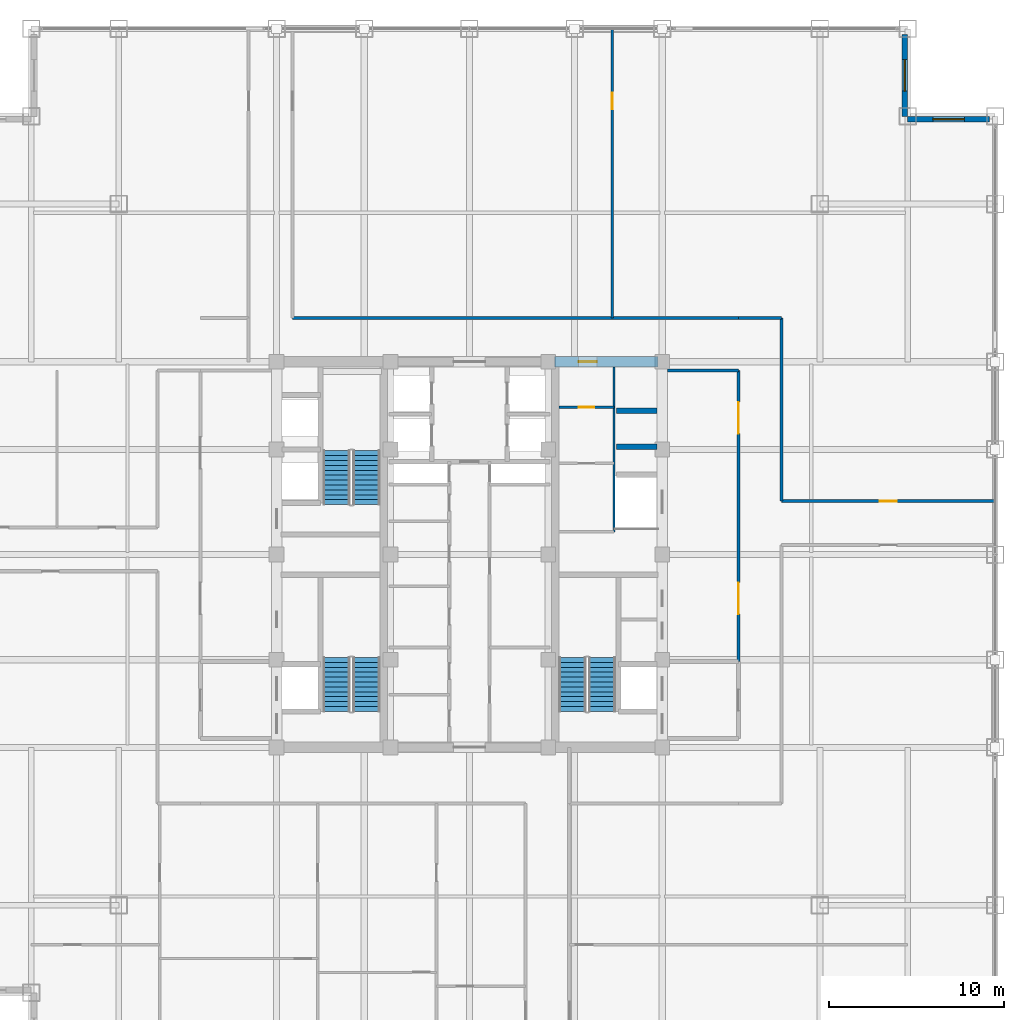
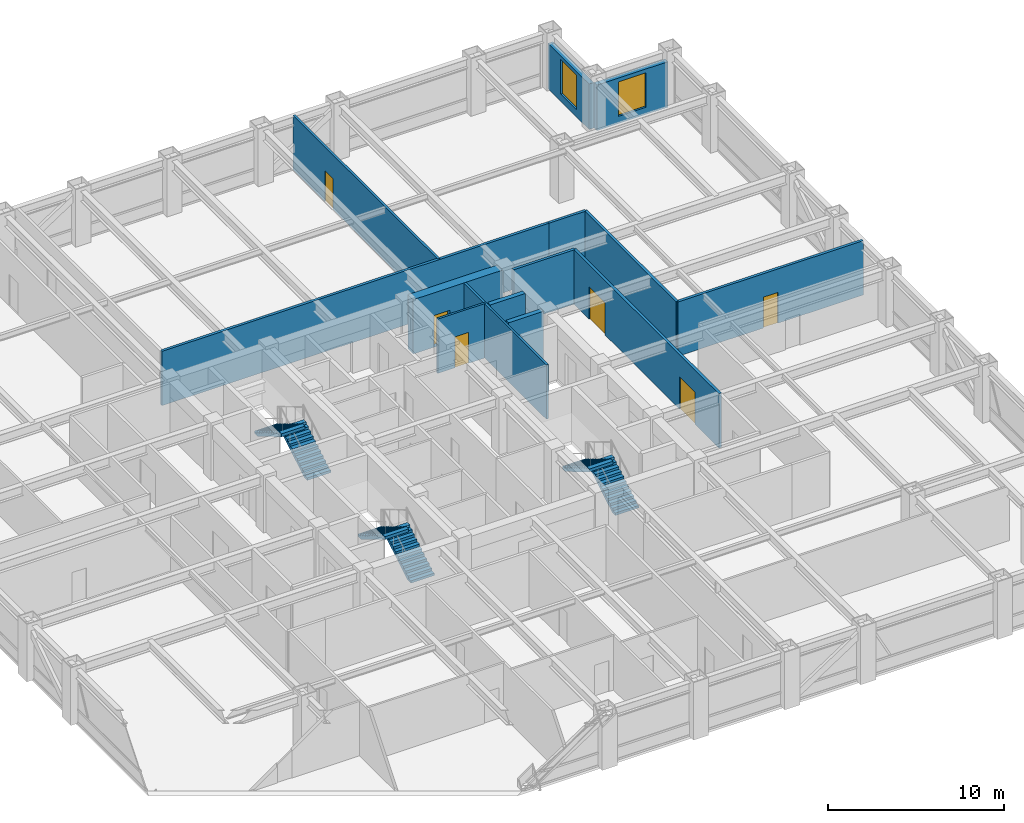
# One storey, part 23 of 24: 14 walls, 6 doors, 6 stair flights, 2 windows, 8 openings, 3 elements without a shape of their own.
"""IFC4 building model written with IfcOpenShell, lengths in metres."""

from ifc_helpers import new_model, si_unit, direction, frame, frame_2d, origin, place, context, subcontext, project, spatial, polyline, rectangle, outline, extrude, source, transform, mapped, material, layer, layer_set, type_object, element, fill, aggregate, save


model = new_model("IFC4")

# Units and contexts
model_context = context("Model", 3, precision=1e-05, world=origin(), true_north=direction((0.0, 1.0)))
body_context = subcontext(model_context, "Body", "Model", "MODEL_VIEW")
ifc_project = project(units=[si_unit("LENGTHUNIT", "METRE"), si_unit("AREAUNIT", "SQUARE_METRE"), si_unit("VOLUMEUNIT", "CUBIC_METRE"), si_unit("PLANEANGLEUNIT", "RADIAN"), si_unit("MASSUNIT", "GRAM", prefix="KILO")], contexts=[model_context])

# Site, building, storey
site_placement = place(None, origin())
site = spatial("IfcSite", under=ifc_project, at=site_placement, CompositionType="ELEMENT")
building_placement = place(site_placement, origin())
building = spatial("IfcBuilding", under=site, at=building_placement, Name="Khorayat Bourse Tower", CompositionType="ELEMENT")
storey_placement = place(building_placement, frame((0.0, 0.0, 215.10009765625)))
storey = spatial("IfcBuildingStorey", under=building, at=storey_placement, Name="L50", CompositionType="ELEMENT", Elevation=215.10009765625)

# Wall, opening, door
ifc_material_1 = material(Name="Concrete C60/75", Category="concrete")
ifc_layer_1 = layer(ifc_material_1, 0.60009765625)
ifc_layer_set_1 = layer_set([ifc_layer_1], Name="Concrete C60/75")
wall_type_1 = type_object("IfcWallType", Name="WAL-CORE-600", PredefinedType="SHEAR", material=ifc_layer_set_1)
shared_shape_1 = source(origin(), body_context, "Body", "SweptSolid", [
    extrude(rectangle(XDim=5.89990234375, YDim=0.60009765625, at=frame_2d((2.949951171875, 0.0))), origin(), (0.0, 0.0, 1.0), 3.77978515625),
])
wall_1_placement = place(storey_placement, frame((4.85009765625, 11.0, 0.0), z_axis=(0.0, 0.0, 1.0), x_axis=(1.0, 0.0, 0.0)))
wall_1 = element("IfcWall", 1, at=wall_1_placement, inside=storey, type_object=wall_type_1, Name="L50 Core Shear Wall PIER-EN", PredefinedType="SHEAR", context=body_context, shape_type="MappedRepresentation", body=[
    mapped(shared_shape_1, transform((0.0, 0.0, 0.0), scale=1.0)),
])
shared_shape_2 = source(origin(), body_context, "Body", "SweptSolid", [
    extrude(rectangle(XDim=1.050048828125, YDim=2.199951171875, at=frame_2d((0.52490234375, 1.10009765625))), frame((0.0, 0.31005859375, 0.0), z_axis=(0.0, -1.0, 0.0), x_axis=(1.0, 0.0, 0.0)), (0.0, 0.0, 1.0), 0.6201171875),
])
opening_1_placement = place(wall_1_placement, frame((1.375, 0.0, 0.0)))
opening_1 = element("IfcOpeningElement", 2, at=opening_1_placement, cuts=wall_1, Name="Opening DI-04", PredefinedType="OPENING", context=body_context, shape_type="MappedRepresentation", body=[
    mapped(shared_shape_2, transform((0.0, 0.0, 0.0), scale=1.0)),
])
ifc_material_2 = material(Name="Fire-rated oak veneer suite entrance door")
door_type_1 = type_object("IfcDoorType", Name="DR-INT-SUITE-1050", OperationType="NOTDEFINED", PredefinedType="DOOR", material=ifc_material_2)
shared_shape_3 = source(origin(), body_context, "Body", "SweptSolid", [
    extrude(rectangle(XDim=1.050048828125, YDim=2.199951171875, at=frame_2d((0.52490234375, 1.10009765625))), frame((0.0, 0.02490234375, 0.0), z_axis=(0.0, -1.0, 0.0), x_axis=(1.0, 0.0, 0.0)), (0.0, 0.0, 1.0), 0.050048828125),
])
door_1_placement = place(opening_1_placement, origin())
door_1 = element("IfcDoor", 3, at=door_1_placement, inside=storey, type_object=door_type_1, Name="L50 Core Washroom Lobby Door", OperationType="SINGLE_SWING_LEFT", OverallHeight=2.199951171875, OverallWidth=1.050048828125, PredefinedType="DOOR", context=body_context, shape_type="MappedRepresentation", body=[
    mapped(shared_shape_3, transform((0.0, 0.0, 0.0), scale=1.0)),
])
fill(opening_1, door_1)

# Wall, opening, window
ifc_material_3 = material(Name="Precast concrete C45/55", Category="concrete")
ifc_layer_2 = layer(ifc_material_3, 0.320068359375)
ifc_layer_set_2 = layer_set([ifc_layer_2], Name="Precast concrete C45/55")
wall_type_2 = type_object("IfcWallType", Name="WAL-EXT-STONE-320", PredefinedType="STANDARD", material=ifc_layer_set_2)
shared_shape_4 = source(origin(), body_context, "Body", "SweptSolid", [
    extrude(rectangle(XDim=4.679931640625, YDim=0.320068359375, at=frame_2d((2.33984375, 0.0))), origin(), (0.0, 0.0, 1.0), 3.163818359375),
])
wall_2_placement = place(storey_placement, frame((25.0, 24.840087890625, 0.0), z_axis=(0.0, 0.0, 1.0), x_axis=(1.0, 0.0, 0.0)))
wall_2 = element("IfcWall", 4, at=wall_2_placement, inside=storey, type_object=wall_type_2, Name="L50 Re-Entrant Notch Limestone Wall NE-H", PredefinedType="STANDARD", context=body_context, shape_type="MappedRepresentation", body=[
    mapped(shared_shape_4, transform((0.0, 0.0, 0.0), scale=1.0)),
])
shared_shape_5 = source(origin(), body_context, "Body", "SweptSolid", [
    extrude(rectangle(XDim=1.800048828125, YDim=2.39990234375, at=frame_2d((0.89990234375, 1.199951171875))), frame((0.0, 0.169921875, 0.0), z_axis=(0.0, -1.0, 0.0), x_axis=(1.0, 0.0, 0.0)), (0.0, 0.0, 1.0), 0.340087890625),
])
opening_2_placement = place(wall_2_placement, frame((1.43994140625, 0.0, 0.5)))
opening_2 = element("IfcOpeningElement", 5, at=opening_2_placement, cuts=wall_2, Name="Opening WN-04", PredefinedType="OPENING", context=body_context, shape_type="MappedRepresentation", body=[
    mapped(shared_shape_5, transform((0.0, 0.0, 0.0), scale=1.0)),
])
ifc_material_4 = material(Name="Low-E acoustic laminated double glazing", Category="glass")
window_type = type_object("IfcWindowType", Name="WIN-NOTCH-1800x2400", PartitioningType="SINGLE_PANEL", PredefinedType="WINDOW", material=ifc_material_4)
shared_shape_6 = source(origin(), body_context, "Body", "SweptSolid", [
    extrude(rectangle(XDim=1.800048828125, YDim=2.39990234375, at=frame_2d((0.89990234375, 1.199951171875))), frame((0.0, 0.030029296875, 0.0), z_axis=(0.0, -1.0, 0.0), x_axis=(1.0, 0.0, 0.0)), (0.0, 0.0, 1.0), 0.06005859375),
])
window_1_placement = place(opening_2_placement, origin())
window_1 = element("IfcWindow", 6, at=window_1_placement, inside=storey, type_object=window_type, Name="L50 Facade Window 1", OverallHeight=2.39990234375, OverallWidth=1.800048828125, PartitioningType="SINGLE_PANEL", PredefinedType="WINDOW", context=body_context, shape_type="MappedRepresentation", body=[
    mapped(shared_shape_6, transform((0.0, 0.0, 0.0), scale=1.0)),
])
fill(opening_2, window_1)

wall_3_placement = place(storey_placement, frame((24.840087890625, 25.0, 0.0), z_axis=(0.0, 0.0, 1.0), x_axis=(0.0, 1.0, 0.0)))
wall_3 = element("IfcWall", 7, at=wall_3_placement, inside=storey, type_object=wall_type_2, Name="L50 Re-Entrant Notch Limestone Wall NE-V", PredefinedType="STANDARD", context=body_context, shape_type="MappedRepresentation", body=[
    mapped(shared_shape_4, transform((0.0, 0.0, 0.0), scale=1.0)),
])
opening_3_placement = place(wall_3_placement, frame((1.43994140625, 0.0, 0.5)))
opening_3 = element("IfcOpeningElement", 8, at=opening_3_placement, cuts=wall_3, Name="Opening WN-04", PredefinedType="OPENING", context=body_context, shape_type="MappedRepresentation", body=[
    mapped(shared_shape_5, transform((0.0, 0.0, 0.0), scale=1.0)),
])
window_2_placement = place(opening_3_placement, origin())
window_2 = element("IfcWindow", 9, at=window_2_placement, inside=storey, type_object=window_type, Name="L50 Facade Window 1", OverallHeight=2.39990234375, OverallWidth=1.800048828125, PartitioningType="SINGLE_PANEL", PredefinedType="WINDOW", context=body_context, shape_type="MappedRepresentation", body=[
    mapped(shared_shape_6, transform((0.0, 0.0, 0.0), scale=1.0)),
])
fill(opening_3, window_2)

# Walls
ifc_material_5 = material(Name="Concrete C50/60", Category="concrete")
ifc_layer_3 = layer(ifc_material_5, 0.300048828125)
ifc_layer_set_3 = layer_set([ifc_layer_3], Name="Concrete C50/60")
wall_type_3 = type_object("IfcWallType", Name="WAL-SHAFT-300", PredefinedType="SHEAR", material=ifc_layer_set_3)
shared_shape_7 = source(origin(), body_context, "Body", "SweptSolid", [
    extrude(rectangle(XDim=2.300048828125, YDim=0.300048828125, at=frame_2d((1.14990234375, 0.0))), origin(), (0.0, 0.0, 1.0), 3.77978515625),
])
for number, where, z_axis, x_axis, name in (
    (10, (8.39990234375, 6.14990234375, 0.0), (0.0, 0.0, 1.0), (1.0, 0.0, 0.0), "L50 Partition WAL-L50-EPIER-H3S"),
    (11, (8.39990234375, 8.199951171875, 0.0), (0.0, 0.0, 1.0), (1.0, 0.0, 0.0), "L50 Partition WAL-L50-EPIER-H34"),
):
    element("IfcWall", number, at=place(storey_placement, frame(where, z_axis=z_axis, x_axis=x_axis)), inside=storey, type_object=wall_type_3, Name=name, PredefinedType="SHEAR", context=body_context, shape_type="MappedRepresentation", body=[
        mapped(shared_shape_7, transform((0.0, 0.0, 0.0), scale=1.0)),
    ])
ifc_material_6 = material(Name="Moisture-resistant masonry partition", Category="masonry")
ifc_layer_4 = layer(ifc_material_6, 0.139892578125)
ifc_layer_set_4 = layer_set([ifc_layer_4], Name="Moisture-resistant masonry partition")
wall_type_4 = type_object("IfcWallType", Name="WAL-PART-WET-140", PredefinedType="PARTITIONING", material=ifc_layer_set_4)
shared_shape_8 = source(origin(), body_context, "Body", "SweptSolid", [
    extrude(rectangle(XDim=9.39990234375, YDim=0.139892578125, at=frame_2d((4.699951171875, 0.0))), origin(), (0.0, 0.0, 1.0), 3.77978515625),
])
wall_4_placement = place(storey_placement, frame((8.25, 1.300048828125, 0.0), z_axis=(0.0, 0.0, 1.0), x_axis=(0.0, 1.0, 0.0)))
element("IfcWall", 12, at=wall_4_placement, inside=storey, type_object=wall_type_4, Name="L50 Partition WAL-L50-ECORE-E", PredefinedType="PARTITIONING", context=body_context, shape_type="MappedRepresentation", body=[
    mapped(shared_shape_8, transform((0.0, 0.0, 0.0), scale=1.0)),
])

# Wall, opening, door
shared_shape_9 = source(origin(), body_context, "Body", "SweptSolid", [
    extrude(rectangle(XDim=3.14990234375, YDim=0.139892578125, at=frame_2d((1.574951171875, 0.0))), origin(), (0.0, 0.0, 1.0), 3.77978515625),
])
wall_5_placement = place(storey_placement, frame((5.10009765625, 8.39990234375, 0.0), z_axis=(0.0, 0.0, 1.0), x_axis=(1.0, 0.0, 0.0)))
wall_5 = element("IfcWall", 13, at=wall_5_placement, inside=storey, type_object=wall_type_4, Name="L50 Partition WAL-L50-ECW-TOP", PredefinedType="PARTITIONING", context=body_context, shape_type="MappedRepresentation", body=[
    mapped(shared_shape_9, transform((0.0, 0.0, 0.0), scale=1.0)),
])
shared_shape_10 = source(origin(), body_context, "Body", "SweptSolid", [
    extrude(rectangle(XDim=0.89990234375, YDim=2.14990234375, at=frame_2d((0.449951171875, 1.074951171875))), frame((0.0, 0.079833984375, 0.0), z_axis=(0.0, -1.0, 0.0), x_axis=(1.0, 0.0, 0.0)), (0.0, 0.0, 1.0), 0.159912109375),
])
opening_4_placement = place(wall_5_placement, frame((1.1298828125, 0.0, 0.0)))
opening_4 = element("IfcOpeningElement", 14, at=opening_4_placement, cuts=wall_5, Name="Opening DI-06", PredefinedType="OPENING", context=body_context, shape_type="MappedRepresentation", body=[
    mapped(shared_shape_10, transform((0.0, 0.0, 0.0), scale=1.0)),
])
ifc_material_7 = material(Name="Moisture-resistant laminate washroom door")
door_type_2 = type_object("IfcDoorType", Name="DR-INT-WC-900", OperationType="NOTDEFINED", PredefinedType="DOOR", material=ifc_material_7)
shared_shape_11 = source(origin(), body_context, "Body", "SweptSolid", [
    extrude(rectangle(XDim=0.89990234375, YDim=2.14990234375, at=frame_2d((0.449951171875, 1.074951171875))), frame((0.0, 0.02490234375, 0.0), z_axis=(0.0, -1.0, 0.0), x_axis=(1.0, 0.0, 0.0)), (0.0, 0.0, 1.0), 0.050048828125),
])
door_2_placement = place(opening_4_placement, origin())
door_2 = element("IfcDoor", 15, at=door_2_placement, inside=storey, type_object=door_type_2, Name="L50 Accessible WC Door", OperationType="SINGLE_SWING_LEFT", OverallHeight=2.14990234375, OverallWidth=0.89990234375, PredefinedType="DOOR", context=body_context, shape_type="MappedRepresentation", body=[
    mapped(shared_shape_11, transform((0.0, 0.0, 0.0), scale=1.0)),
])
fill(opening_4, door_2)

# Wall
ifc_material_8 = material(Name="Gypsum plasterboard acoustic stud wall")
ifc_layer_5 = layer(ifc_material_8, 0.179931640625)
ifc_layer_set_5 = layer_set([ifc_layer_5], Name="Gypsum plasterboard acoustic stud wall")
wall_type_5 = type_object("IfcWallType", Name="WAL-PART-CORR-180", PredefinedType="PARTITIONING", material=ifc_layer_set_5)
shared_shape_12 = source(origin(), body_context, "Body", "SweptSolid", [
    extrude(rectangle(XDim=4.050048828125, YDim=0.179931640625, at=frame_2d((2.02490234375, 0.0))), origin(), (0.0, 0.0, 1.0), 3.77978515625),
])
wall_6_placement = place(storey_placement, frame((11.300048828125, 10.5, 0.0), z_axis=(0.0, 0.0, 1.0), x_axis=(1.0, 0.0, 0.0)))
element("IfcWall", 16, at=wall_6_placement, inside=storey, type_object=wall_type_5, Name="L50 Partition WAL-L50-ELOB-N", PredefinedType="PARTITIONING", context=body_context, shape_type="MappedRepresentation", body=[
    mapped(shared_shape_12, transform((0.0, 0.0, 0.0), scale=1.0)),
])

# Wall, openings, doors
shared_shape_13 = source(origin(), body_context, "Body", "SweptSolid", [
    extrude(rectangle(XDim=16.60009765625, YDim=0.179931640625, at=frame_2d((8.300048828125, 0.0))), origin(), (0.0, 0.0, 1.0), 3.77978515625),
])
wall_7_placement = place(storey_placement, frame((15.35009765625, -6.10009765625, 0.0), z_axis=(0.0, 0.0, 1.0), x_axis=(0.0, 1.0, 0.0)))
wall_7 = element("IfcWall", 17, at=wall_7_placement, inside=storey, type_object=wall_type_5, Name="L50 Partition WAL-L50-ELOB-E", PredefinedType="PARTITIONING", context=body_context, shape_type="MappedRepresentation", body=[
    mapped(shared_shape_13, transform((0.0, 0.0, 0.0), scale=1.0)),
])
shared_shape_14 = source(origin(), body_context, "Body", "SweptSolid", [
    extrude(rectangle(XDim=1.800048828125, YDim=2.25, at=frame_2d((0.89990234375, 1.125))), frame((0.0, 0.099853515625, 0.0), z_axis=(0.0, -1.0, 0.0), x_axis=(1.0, 0.0, 0.0)), (0.0, 0.0, 1.0), 0.199951171875),
])
opening_5_placement = place(wall_7_placement, frame((2.699951171875, 0.0, 0.0)))
opening_5 = element("IfcOpeningElement", 18, at=opening_5_placement, cuts=wall_7, Name="Opening DI-03", PredefinedType="OPENING", context=body_context, shape_type="MappedRepresentation", body=[
    mapped(shared_shape_14, transform((0.0, 0.0, 0.0), scale=1.0)),
])
opening_6_placement = place(wall_7_placement, frame((13.0, 0.0, 0.0)))
opening_6 = element("IfcOpeningElement", 19, at=opening_6_placement, cuts=wall_7, Name="Opening DI-03", PredefinedType="OPENING", context=body_context, shape_type="MappedRepresentation", body=[
    mapped(shared_shape_14, transform((0.0, 0.0, 0.0), scale=1.0)),
])
ifc_material_9 = material(Name="Fire-rated hardwood vision-panel double leaf", Category="wood")
door_type_3 = type_object("IfcDoorType", Name="DR-INT-CORR-1800", OperationType="NOTDEFINED", PredefinedType="DOOR", material=ifc_material_9)
shared_shape_15 = source(origin(), body_context, "Body", "SweptSolid", [
    extrude(rectangle(XDim=1.800048828125, YDim=2.25, at=frame_2d((0.89990234375, 1.125))), frame((0.0, 0.02490234375, 0.0), z_axis=(0.0, -1.0, 0.0), x_axis=(1.0, 0.0, 0.0)), (0.0, 0.0, 1.0), 0.050048828125),
])
door_3_placement = place(opening_5_placement, origin())
door_3 = element("IfcDoor", 20, at=door_3_placement, inside=storey, type_object=door_type_3, Name="L50 East Core Lobby South Door", OperationType="SINGLE_SWING_RIGHT", OverallHeight=2.25, OverallWidth=1.800048828125, PredefinedType="DOOR", context=body_context, shape_type="MappedRepresentation", body=[
    mapped(shared_shape_15, transform((0.0, 0.0, 0.0), scale=1.0)),
])
fill(opening_5, door_3)
door_4_placement = place(opening_6_placement, origin())
door_4 = element("IfcDoor", 21, at=door_4_placement, inside=storey, type_object=door_type_3, Name="L50 East Core Lobby North Door", OperationType="SINGLE_SWING_LEFT", OverallHeight=2.25, OverallWidth=1.800048828125, PredefinedType="DOOR", context=body_context, shape_type="MappedRepresentation", body=[
    mapped(shared_shape_15, transform((0.0, 0.0, 0.0), scale=1.0)),
])
fill(opening_6, door_4)

# Wall
shared_shape_16 = source(origin(), body_context, "Body", "SweptSolid", [
    extrude(rectangle(XDim=2.449951171875, YDim=0.179931640625, at=frame_2d((1.22509765625, 0.0))), origin(), (0.0, 0.0, 1.0), 3.77978515625),
])
wall_8_placement = place(storey_placement, frame((15.35009765625, 13.5, 0.0), z_axis=(0.0, 0.0, 1.0), x_axis=(1.0, 0.0, 0.0)))
element("IfcWall", 22, at=wall_8_placement, inside=storey, type_object=wall_type_5, Name="L50 Partition WAL-L50-C2-EN", PredefinedType="PARTITIONING", context=body_context, shape_type="MappedRepresentation", body=[
    mapped(shared_shape_16, transform((0.0, 0.0, 0.0), scale=1.0)),
])

# Wall, opening, door
ifc_material_10 = material(Name="Gypsum plasterboard twin-frame partition")
ifc_layer_6 = layer(ifc_material_10, 0.14990234375)
ifc_layer_set_6 = layer_set([ifc_layer_6], Name="Gypsum plasterboard twin-frame partition")
wall_type_6 = type_object("IfcWallType", Name="WAL-PART-SUITE-150", PredefinedType="PARTITIONING", material=ifc_layer_set_6)
shared_shape_17 = source(origin(), body_context, "Body", "SweptSolid", [
    extrude(rectangle(XDim=16.5, YDim=0.14990234375, at=frame_2d((8.25, 0.0))), origin(), (0.0, 0.0, 1.0), 3.77978515625),
])
wall_9_placement = place(storey_placement, frame((8.152099609375, 13.5, 0.0), z_axis=(0.0, 0.0, 1.0), x_axis=(0.0, 1.0, 0.0)))
wall_9 = element("IfcWall", 23, at=wall_9_placement, inside=storey, type_object=wall_type_6, Name="L50 Partition WAL-L50-QNEDV-1", PredefinedType="PARTITIONING", context=body_context, shape_type="MappedRepresentation", body=[
    mapped(shared_shape_17, transform((0.0, 0.0, 0.0), scale=1.0)),
])
shared_shape_18 = source(origin(), body_context, "Body", "SweptSolid", [
    extrude(rectangle(XDim=0.949951171875, YDim=2.14990234375, at=frame_2d((0.47509765625, 1.074951171875))), frame((0.0, 0.0849609375, 0.0), z_axis=(0.0, -1.0, 0.0), x_axis=(1.0, 0.0, 0.0)), (0.0, 0.0, 1.0), 0.169921875),
])
opening_7_placement = place(wall_9_placement, frame((11.89990234375, 0.0, 0.0)))
opening_7 = element("IfcOpeningElement", 24, at=opening_7_placement, cuts=wall_9, Name="Opening DI-05", PredefinedType="OPENING", context=body_context, shape_type="MappedRepresentation", body=[
    mapped(shared_shape_18, transform((0.0, 0.0, 0.0), scale=1.0)),
])
ifc_material_11 = material(Name="Acoustic oak veneer office door")
door_type_4 = type_object("IfcDoorType", Name="DR-INT-OFFICE-950", OperationType="NOTDEFINED", PredefinedType="DOOR", material=ifc_material_11)
shared_shape_19 = source(origin(), body_context, "Body", "SweptSolid", [
    extrude(rectangle(XDim=0.949951171875, YDim=2.14990234375, at=frame_2d((0.47509765625, 1.074951171875))), frame((0.0, 0.02490234375, 0.0), z_axis=(0.0, -1.0, 0.0), x_axis=(1.0, 0.0, 0.0)), (0.0, 0.0, 1.0), 0.050048828125),
])
door_5_placement = place(opening_7_placement, origin())
door_5 = element("IfcDoor", 25, at=door_5_placement, inside=storey, type_object=door_type_4, Name="L50 North-East Suite Link 1", OperationType="SINGLE_SWING_RIGHT", OverallHeight=2.14990234375, OverallWidth=0.949951171875, PredefinedType="DOOR", context=body_context, shape_type="MappedRepresentation", body=[
    mapped(shared_shape_19, transform((0.0, 0.0, 0.0), scale=1.0)),
])
fill(opening_7, door_5)

shared_shape_20 = source(origin(), body_context, "Body", "SweptSolid", [
    extrude(rectangle(XDim=12.199951171875, YDim=0.179931640625, at=frame_2d((6.10009765625, 0.0))), origin(), (0.0, 0.0, 1.0), 3.77978515625),
])
wall_10_placement = place(storey_placement, frame((17.800048828125, 3.050048828125, 0.0), z_axis=(0.0, 0.0, 1.0), x_axis=(1.0, 0.0, 0.0)))
wall_10 = element("IfcWall", 26, at=wall_10_placement, inside=storey, type_object=wall_type_5, Name="L50 Partition WAL-L50-EN-SPK", PredefinedType="PARTITIONING", context=body_context, shape_type="MappedRepresentation", body=[
    mapped(shared_shape_20, transform((0.0, 0.0, 0.0), scale=1.0)),
])
shared_shape_21 = source(origin(), body_context, "Body", "SweptSolid", [
    extrude(rectangle(XDim=0.949951171875, YDim=2.14990234375, at=frame_2d((0.47509765625, 1.074951171875))), frame((0.0, 0.099853515625, 0.0), z_axis=(0.0, -1.0, 0.0), x_axis=(1.0, 0.0, 0.0)), (0.0, 0.0, 1.0), 0.199951171875),
])
opening_8_placement = place(wall_10_placement, frame((5.625, 0.0, 0.0)))
opening_8 = element("IfcOpeningElement", 27, at=opening_8_placement, cuts=wall_10, Name="Opening DI-05", PredefinedType="OPENING", context=body_context, shape_type="MappedRepresentation", body=[
    mapped(shared_shape_21, transform((0.0, 0.0, 0.0), scale=1.0)),
])
door_6_placement = place(opening_8_placement, origin())
door_6 = element("IfcDoor", 28, at=door_6_placement, inside=storey, type_object=door_type_4, Name="L50 Market Reference Library EN Door", OperationType="SINGLE_SWING_LEFT", OverallHeight=2.14990234375, OverallWidth=0.949951171875, PredefinedType="DOOR", context=body_context, shape_type="MappedRepresentation", body=[
    mapped(shared_shape_19, transform((0.0, 0.0, 0.0), scale=1.0)),
])
fill(opening_8, door_6)

# Walls
shared_shape_22 = source(origin(), body_context, "Body", "SweptSolid", [
    extrude(rectangle(XDim=25.4501953125, YDim=0.179931640625, at=frame_2d((12.72509765625, 0.0))), origin(), (0.0, 0.0, 1.0), 3.77978515625),
])
wall_11_placement = place(storey_placement, frame((-10.10009765625, 13.5, 0.0), z_axis=(0.0, 0.0, 1.0), x_axis=(1.0, 0.0, 0.0)))
element("IfcWall", 29, at=wall_11_placement, inside=storey, type_object=wall_type_5, Name="L50 Partition WAL-L50-QNE-HC", PredefinedType="PARTITIONING", context=body_context, shape_type="MappedRepresentation", body=[
    mapped(shared_shape_22, transform((0.0, 0.0, 0.0), scale=1.0)),
])
shared_shape_23 = source(origin(), body_context, "Body", "SweptSolid", [
    extrude(rectangle(XDim=10.449951171875, YDim=0.179931640625, at=frame_2d((5.22509765625, 0.0))), origin(), (0.0, 0.0, 1.0), 3.77978515625),
])
wall_12_placement = place(storey_placement, frame((17.800048828125, 3.050048828125, 0.0), z_axis=(0.0, 0.0, 1.0), x_axis=(0.0, 1.0, 0.0)))
element("IfcWall", 30, at=wall_12_placement, inside=storey, type_object=wall_type_5, Name="L50 Partition WAL-L50-EN-IN", PredefinedType="PARTITIONING", context=body_context, shape_type="MappedRepresentation", body=[
    mapped(shared_shape_23, transform((0.0, 0.0, 0.0), scale=1.0)),
])

# Stair, stair flights
ifc_material_12 = material(Name="Concrete C40/50", Category="concrete")
stair_type = type_object("IfcStairType", Name="STR-CORE-1550", PredefinedType="HALF_TURN_STAIR", material=ifc_material_12)
stair_1_placement = place(storey_placement, origin())
stair_1 = element("IfcStair", 31, at=stair_1_placement, inside=storey, type_object=stair_type, Name="L50 Exit Stair ST-1", PredefinedType="HALF_TURN_STAIR")
stair_flight_type = type_object("IfcStairFlightType", Name="FLT-CORE-1550", PredefinedType="STRAIGHT", material=ifc_material_12)
shared_shape_24 = source(origin(), body_context, "Body", "SweptSolid", [
    extrude(outline(polyline([(0.0, 0.0), (0.0, 0.166748046875), (0.280029296875, 0.166748046875), (0.280029296875, 0.333251953125), (0.56005859375, 0.333251953125), (0.56005859375, 0.5), (0.840087890625, 0.5), (0.840087890625, 0.666748046875), (1.1201171875, 0.666748046875), (1.1201171875, 0.833251953125), (1.39990234375, 0.833251953125), (1.39990234375, 1.0), (1.679931640625, 1.0), (1.679931640625, 1.166748046875), (1.9599609375, 1.166748046875), (1.9599609375, 1.333251953125), (2.239990234375, 1.333251953125), (2.239990234375, 1.5), (2.52001953125, 1.5), (2.52001953125, 1.666748046875), (2.800048828125, 1.666748046875), (2.800048828125, 1.833251953125), (3.080078125, 1.833251953125), (3.080078125, 2.0), (3.080078125, 1.6240234375), (0.351806640625, 0.0), (0.0, 0.0)])), frame((0.0, 0.77490234375, 0.0), z_axis=(0.0, -1.0, 0.0), x_axis=(1.0, 0.0, 0.0)), (0.0, 0.0, 1.0), 1.550048828125),
])
stair_flight_1_placement = place(storey_placement, frame((-5.875, -8.949951171875, 0.0), z_axis=(0.0, 0.0, 1.0), x_axis=(0.0, 1.0, 0.0)))
stair_flight_1 = element("IfcStairFlight", 32, at=stair_flight_1_placement, type_object=stair_flight_type, Name="ST-1 flight 1", NumberOfRisers=12, NumberOfTreads=11, PredefinedType="STRAIGHT", RiserHeight=0.166666667, TreadLength=0.28, context=body_context, shape_type="MappedRepresentation", body=[
    mapped(shared_shape_24, transform((0.0, 0.0, 0.0), scale=1.0)),
])
stair_flight_2_placement = place(storey_placement, frame((-7.574951171875, -5.8701171875, 2.0), z_axis=(0.0, 0.0, 1.0), x_axis=(0.0, -1.0, 0.0)))
stair_flight_2 = element("IfcStairFlight", 33, at=stair_flight_2_placement, type_object=stair_flight_type, Name="ST-1 flight 2", NumberOfRisers=12, NumberOfTreads=11, PredefinedType="STRAIGHT", RiserHeight=0.166666667, TreadLength=0.28, context=body_context, shape_type="MappedRepresentation", body=[
    mapped(shared_shape_24, transform((0.0, 0.0, 0.0), scale=1.0)),
])
aggregate(stair_1, [stair_flight_1, stair_flight_2])

stair_2_placement = place(storey_placement, origin())
stair_2 = element("IfcStair", 34, at=stair_2_placement, inside=storey, type_object=stair_type, Name="L50 Exit Stair ST-2", PredefinedType="HALF_TURN_STAIR")
stair_flight_3_placement = place(storey_placement, frame((-5.875, 2.85009765625, 0.0), z_axis=(0.0, 0.0, 1.0), x_axis=(0.0, 1.0, 0.0)))
stair_flight_3 = element("IfcStairFlight", 35, at=stair_flight_3_placement, type_object=stair_flight_type, Name="ST-2 flight 1", NumberOfRisers=12, NumberOfTreads=11, PredefinedType="STRAIGHT", RiserHeight=0.166666667, TreadLength=0.28, context=body_context, shape_type="MappedRepresentation", body=[
    mapped(shared_shape_24, transform((0.0, 0.0, 0.0), scale=1.0)),
])
stair_flight_4_placement = place(storey_placement, frame((-7.574951171875, 5.929931640625, 2.0), z_axis=(0.0, 0.0, 1.0), x_axis=(0.0, -1.0, 0.0)))
stair_flight_4 = element("IfcStairFlight", 36, at=stair_flight_4_placement, type_object=stair_flight_type, Name="ST-2 flight 2", NumberOfRisers=12, NumberOfTreads=11, PredefinedType="STRAIGHT", RiserHeight=0.166666667, TreadLength=0.28, context=body_context, shape_type="MappedRepresentation", body=[
    mapped(shared_shape_24, transform((0.0, 0.0, 0.0), scale=1.0)),
])
aggregate(stair_2, [stair_flight_3, stair_flight_4])

stair_3_placement = place(storey_placement, origin())
stair_3 = element("IfcStair", 37, at=stair_3_placement, inside=storey, type_object=stair_type, Name="L50 Exit Stair ST-3", PredefinedType="HALF_TURN_STAIR")
stair_flight_5_placement = place(storey_placement, frame((7.574951171875, -8.949951171875, 0.0), z_axis=(0.0, 0.0, 1.0), x_axis=(0.0, 1.0, 0.0)))
stair_flight_5 = element("IfcStairFlight", 38, at=stair_flight_5_placement, type_object=stair_flight_type, Name="ST-3 flight 1", NumberOfRisers=12, NumberOfTreads=11, PredefinedType="STRAIGHT", RiserHeight=0.166666667, TreadLength=0.28, context=body_context, shape_type="MappedRepresentation", body=[
    mapped(shared_shape_24, transform((0.0, 0.0, 0.0), scale=1.0)),
])
stair_flight_6_placement = place(storey_placement, frame((5.875, -5.8701171875, 2.0), z_axis=(0.0, 0.0, 1.0), x_axis=(0.0, -1.0, 0.0)))
stair_flight_6 = element("IfcStairFlight", 39, at=stair_flight_6_placement, type_object=stair_flight_type, Name="ST-3 flight 2", NumberOfRisers=12, NumberOfTreads=11, PredefinedType="STRAIGHT", RiserHeight=0.166666667, TreadLength=0.28, context=body_context, shape_type="MappedRepresentation", body=[
    mapped(shared_shape_24, transform((0.0, 0.0, 0.0), scale=1.0)),
])
aggregate(stair_3, [stair_flight_5, stair_flight_6])

save(model, "model.ifc")
